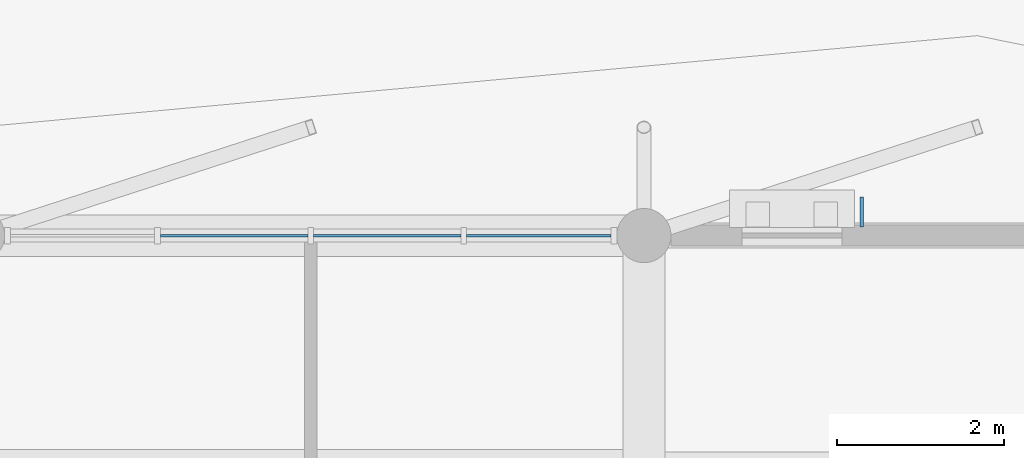
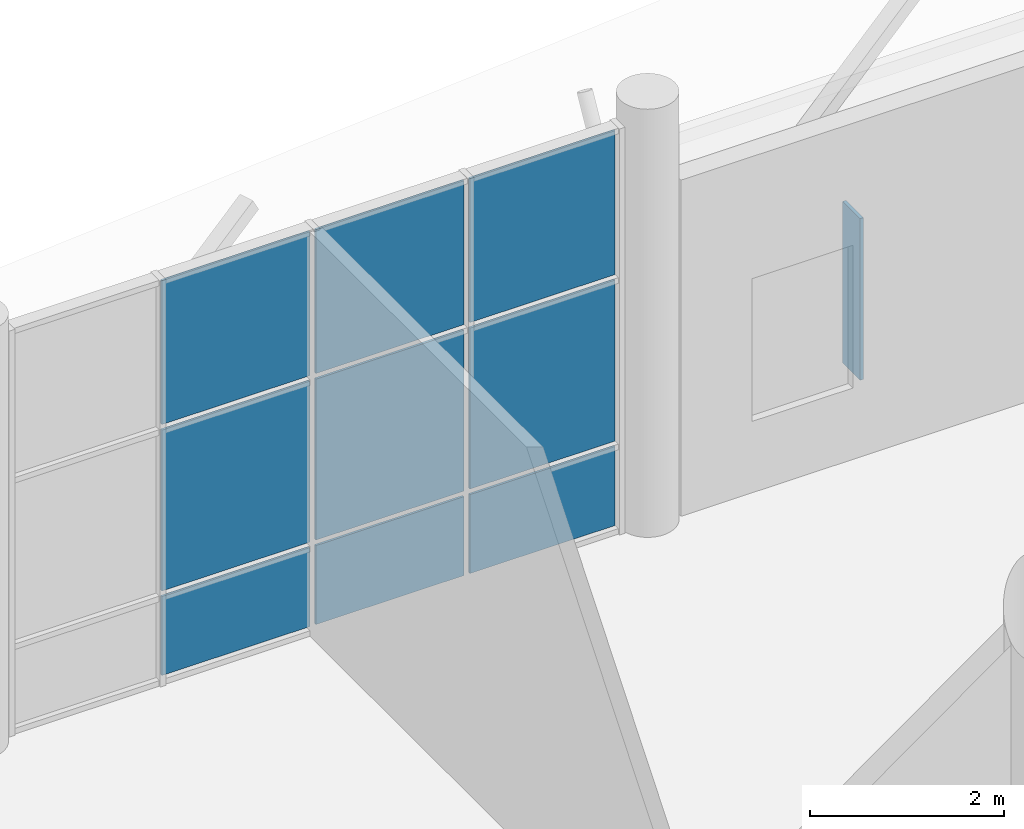
# One storey, part 93 of 123: 10 plates, 1 element without a shape of its own.
"""IFC4 building model written with IfcOpenShell, lengths in metres."""

import ifcopenshell
import ifcopenshell.guid

model = None  # the IFC model being written
_history = None  # IfcOwnerHistory: only IFC2X3 demands one
_inside = {}  # id of a spatial element -> (the spatial element, [elements in it])
_under = {}  # id of a project, library or spatial element -> (it, [spatial elements below it])
_declared = {}  # id of a project -> (the project, [libraries it declares])
_typed = {}  # id of a type object -> (the type object, [elements of that type])
_made_of = {}  # id of a material, layer set ... -> (it, [elements and type objects made of it])


def new_model(schema):
    """Start an empty IFC model of exactly this schema.

    Asked for "IFC4X3", IfcOpenShell would pick the latest addendum, in which some entities
    have other attributes; the version numbers below select the first issue.
    IFC2X3 requires an IfcOwnerHistory on every rooted entity: one is made here for all.
    """
    global model, _history
    if schema == "IFC4X3":
        model = ifcopenshell.file(schema_version=(4, 3, 0, 0))
    else:
        model = ifcopenshell.file(schema=schema)
    _inside.clear()
    _under.clear()
    _declared.clear()
    _typed.clear()
    _made_of.clear()
    _history = None
    if model.schema == "IFC2X3":
        org = make("IfcOrganization", Name="unknown")
        user = make(
            "IfcPersonAndOrganization",
            ThePerson=make("IfcPerson", FamilyName="unknown"),
            TheOrganization=org,
        )
        app = make(
            "IfcApplication",
            ApplicationDeveloper=org,
            Version="unknown",
            ApplicationFullName="unknown",
            ApplicationIdentifier="unknown",
        )
        _history = make(
            "IfcOwnerHistory",
            OwningUser=user,
            OwningApplication=app,
            ChangeAction="ADDED",
            CreationDate=0,
        )
    return model


def make(cls, **values):
    """One entity of the class cls with the attributes given. An attribute that is None is left unset."""
    return model.create_entity(
        cls, **{name: value for name, value in values.items() if value is not None}
    )


def rooted(cls, **values):
    """An entity with a GlobalId (a new one), such as an element, a storey or a relation."""
    return make(cls, GlobalId=ifcopenshell.guid.new(), OwnerHistory=_history, **values)


def si_unit(unit_type, name, prefix=None):
    """IfcSIUnit, for example si_unit("LENGTHUNIT", "METRE", prefix="MILLI")."""
    return make("IfcSIUnit", UnitType=unit_type, Prefix=prefix, Name=name)


def assignment(units):
    """IfcUnitAssignment: the units of a project."""
    return None if units is None else make("IfcUnitAssignment", Units=units)


def point(xyz):
    """IfcCartesianPoint."""
    return None if xyz is None else make("IfcCartesianPoint", Coordinates=xyz)


def direction(xyz):
    """IfcDirection."""
    return None if xyz is None else make("IfcDirection", DirectionRatios=xyz)


def frame(location, z_axis=None, x_axis=None):
    """IfcAxis2Placement3D, a coordinate frame: its origin and axes. An axis left out is left unset."""
    return make(
        "IfcAxis2Placement3D",
        Location=point(location),
        Axis=direction(z_axis),
        RefDirection=direction(x_axis),
    )


def frame_2d(location, x_axis=None):
    """IfcAxis2Placement2D, a coordinate frame in the plane: its origin and x axis."""
    return make(
        "IfcAxis2Placement2D", Location=point(location), RefDirection=direction(x_axis)
    )


def origin():
    """The frame at (0, 0, 0) with its axes left unset."""
    return frame((0.0, 0.0, 0.0))


def origin_2d():
    """The frame at (0, 0) in the plane with its x axis left unset."""
    return frame_2d((0.0, 0.0))


def place(relative_to, where):
    """IfcLocalPlacement: puts the frame where relative to a parent placement (None: the world)."""
    return make(
        "IfcLocalPlacement", PlacementRelTo=relative_to, RelativePlacement=where
    )


def context(
    kind, dimensions, precision=None, world=None, true_north=None, identifier=None
):
    """IfcGeometricRepresentationContext, for example the 3D "Model" context."""
    return make(
        "IfcGeometricRepresentationContext",
        ContextIdentifier=identifier,
        ContextType=kind,
        CoordinateSpaceDimension=dimensions,
        Precision=precision,
        WorldCoordinateSystem=world,
        TrueNorth=true_north,
    )


def subcontext(parent, identifier, kind, view, scale=None):
    """IfcGeometricRepresentationSubContext, for example "Body" below "Model"."""
    return make(
        "IfcGeometricRepresentationSubContext",
        ContextIdentifier=identifier,
        ContextType=kind,
        ParentContext=parent,
        TargetScale=scale,
        TargetView=view,
    )


def project(units=None, contexts=None):
    """IfcProject with its units and contexts."""
    return rooted(
        "IfcProject",
        Name="project",
        RepresentationContexts=contexts,
        UnitsInContext=assignment(units),
    )


def spatial(cls, under=None, at=None, **own):
    """A site, building, storey or space (cls), placed at a placement, below another one or the project."""
    s = rooted(cls, ObjectPlacement=at, **own)
    if under is not None:
        _under.setdefault(under.id(), (under, []))[1].append(s)
    return s


def profile(cls, at=None, kind="AREA", **sizes):
    """A parametric profile (cls). Its sizes go by their IFC names, for example OverallWidth=200.0."""
    return make(cls, ProfileType=kind, Position=at, **sizes)


def rectangle(**sizes):
    """IfcRectangleProfileDef."""
    return profile("IfcRectangleProfileDef", **sizes)


def extrude(swept, where, along, depth):
    """IfcExtrudedAreaSolid: the profile swept, set in the frame where, extruded along a direction by depth."""
    return make(
        "IfcExtrudedAreaSolid",
        SweptArea=swept,
        Position=where,
        ExtrudedDirection=direction(along),
        Depth=depth,
    )


def shape(context_of_items, identifier, shape_type, items):
    """IfcShapeRepresentation: the items that make up one representation, for example the "Body"."""
    return make(
        "IfcShapeRepresentation",
        ContextOfItems=context_of_items,
        RepresentationIdentifier=identifier,
        RepresentationType=shape_type,
        Items=items,
    )


def material(Name=None, Category=None):
    """IfcMaterial."""
    return make("IfcMaterial", Name=Name, Category=Category)


def layer(
    of_material, thickness, ventilated=None, Name=None, Category=None, Priority=None
):
    """IfcMaterialLayer: one layer of a wall or slab, of a material (None: an air gap)."""
    return make(
        "IfcMaterialLayer",
        Material=of_material,
        LayerThickness=thickness,
        IsVentilated=ventilated,
        Name=Name,
        Category=Category,
        Priority=Priority,
    )


def layer_set(layers, Name=None):
    """IfcMaterialLayerSet."""
    return make("IfcMaterialLayerSet", MaterialLayers=layers, LayerSetName=Name)


def made_of(thing, what):
    """Note that an element or type object is made of a material, layer set ...; save() writes the relation."""
    if what is not None:
        _made_of.setdefault(what.id(), (what, []))[1].append(thing)
    return thing


def type_object(cls, material=None, **own):
    """A type object (cls), such as IfcWallType, which elements share."""
    return made_of(rooted(cls, **own), material)


def element(
    cls,
    number,
    at=None,
    inside=None,
    cuts=None,
    type_object=None,
    material=None,
    context=None,
    identifier="Body",
    shape_type=None,
    held_by="IfcProductDefinitionShape",
    body=None,
    shapes=None,
    **own,
):
    """One element of the class cls, such as IfcWall. Its Tag is "e" and its number.

    at: its placement. inside: the storey or other place that contains it. cuts: it is an
    opening in that element (IfcRelVoidsElement). A single representation is given by context,
    identifier, shape_type and body (its items); several are given by shapes. held_by: the class
    of the entity that holds the representations. save() writes the other relations.
    """
    e = rooted(cls, Tag="e%d" % number, ObjectPlacement=at, **own)
    if body is not None:
        shapes = [shape(context, identifier, shape_type, body)]
    if shapes is not None:
        e.Representation = make(held_by, Representations=shapes)
    if inside is not None:
        _inside.setdefault(inside.id(), (inside, []))[1].append(e)
    if cuts is not None:
        rooted(
            "IfcRelVoidsElement", RelatingBuildingElement=cuts, RelatedOpeningElement=e
        )
    if type_object is not None:
        _typed.setdefault(type_object.id(), (type_object, []))[1].append(e)
    return made_of(e, material)


def aggregate(whole, parts):
    """IfcRelAggregates: a whole, such as a stair, and the parts it consists of."""
    return rooted("IfcRelAggregates", RelatingObject=whole, RelatedObjects=parts)


def save(model, path):
    """Write the relations noted so far, then the file.

    IfcRelAggregates (storeys below a building ...), IfcRelContainedInSpatialStructure (elements
    in a storey), IfcRelDefinesByType, IfcRelAssociatesMaterial and IfcRelDeclares: one each for
    every whole, place, type object, material and project.
    """
    for whole, parts in _under.values():
        aggregate(whole, parts)
    for where, things in _inside.values():
        rooted(
            "IfcRelContainedInSpatialStructure",
            RelatedElements=things,
            RelatingStructure=where,
        )
    for kind, things in _typed.values():
        rooted("IfcRelDefinesByType", RelatedObjects=things, RelatingType=kind)
    for what, things in _made_of.values():
        rooted("IfcRelAssociatesMaterial", RelatedObjects=things, RelatingMaterial=what)
    for by, libraries in _declared.values():
        rooted("IfcRelDeclares", RelatingContext=by, RelatedDefinitions=libraries)
    model.write(path)


model = new_model("IFC4")

# Units and contexts
model_context = context("Model", 3, precision=1e-05, world=origin(), true_north=direction((0.0, 1.0)))
body_context = subcontext(model_context, "Body", "Model", "MODEL_VIEW")
ifc_project = project(units=[si_unit("LENGTHUNIT", "METRE"), si_unit("AREAUNIT", "SQUARE_METRE"), si_unit("VOLUMEUNIT", "CUBIC_METRE"), si_unit("PLANEANGLEUNIT", "RADIAN"), si_unit("MASSUNIT", "GRAM", prefix="KILO")], contexts=[model_context])

# Site, building, storey
site_placement = place(None, origin())
site = spatial("IfcSite", under=ifc_project, at=site_placement, CompositionType="ELEMENT")
building_placement = place(site_placement, origin())
building = spatial("IfcBuilding", under=site, at=building_placement, Name="Tenunan Teduh Sports Hall", CompositionType="ELEMENT")
storey_placement = place(building_placement, origin())
storey = spatial("IfcBuildingStorey", under=building, at=storey_placement, Name="L00", CompositionType="ELEMENT", Elevation=0.0)

# Curtain wall, plates
ifc_material_1 = material(Name="Anodised aluminium", Category="aluminium")
curtain_wall_type = type_object("IfcCurtainWallType", Name="CW-UNIT-1", PredefinedType="NOTDEFINED", material=ifc_material_1)
curtain_wall_placement = place(storey_placement, origin())
curtain_wall = element("IfcCurtainWall", 1, at=curtain_wall_placement, inside=storey, type_object=curtain_wall_type, Name="CW-CWM-200-L00-240", PredefinedType="NOTDEFINED")
ifc_material_2 = material(Name="Low-E laminated double glazing", Category="glass")
ifc_layer_1 = layer(ifc_material_2, 0.028076171875)
ifc_layer_set_1 = layer_set([ifc_layer_1], Name="Low-E laminated double glazing")
plate_type_1 = type_object("IfcPlateType", Name="CWP-GLZ-28", PredefinedType="CURTAIN_PANEL", material=ifc_layer_set_1)
plate_1_placement = place(storey_placement, frame((133.081298828125, 118.0, 1.134765625), z_axis=(0.0, 0.0, 1.0), x_axis=(1.0, 0.0, 0.0)))
plate_1 = element("IfcPlate", 2, at=plate_1_placement, type_object=plate_type_1, Name="CW-01 panel 2.2", PredefinedType="CURTAIN_PANEL", context=body_context, shape_type="SweptSolid", body=[
    extrude(rectangle(XDim=1.767578125, YDim=0.028076171875, at=origin_2d()), origin(), (0.0, 0.0, 1.0), 2.030029296875),
])
plate_2_placement = place(storey_placement, frame((133.081298828125, 118.0, 3.235107421875), z_axis=(0.0, 0.0, 1.0), x_axis=(1.0, 0.0, 0.0)))
plate_2 = element("IfcPlate", 3, at=plate_2_placement, type_object=plate_type_1, Name="CW-01 panel 2.3", PredefinedType="CURTAIN_PANEL", context=body_context, shape_type="SweptSolid", body=[
    extrude(rectangle(XDim=1.767578125, YDim=0.028076171875, at=origin_2d()), origin(), (0.0, 0.0, 1.0), 1.81494140625),
])
plate_3_placement = place(storey_placement, frame((134.918701171875, 118.0, 1.134765625), z_axis=(0.0, 0.0, 1.0), x_axis=(1.0, 0.0, 0.0)))
plate_3 = element("IfcPlate", 4, at=plate_3_placement, type_object=plate_type_1, Name="CW-01 panel 3.2", PredefinedType="CURTAIN_PANEL", context=body_context, shape_type="SweptSolid", body=[
    extrude(rectangle(XDim=1.767578125, YDim=0.028076171875, at=origin_2d()), origin(), (0.0, 0.0, 1.0), 2.030029296875),
])
plate_4_placement = place(storey_placement, frame((134.918701171875, 118.0, 3.235107421875), z_axis=(0.0, 0.0, 1.0), x_axis=(1.0, 0.0, 0.0)))
plate_4 = element("IfcPlate", 5, at=plate_4_placement, type_object=plate_type_1, Name="CW-01 panel 3.3", PredefinedType="CURTAIN_PANEL", context=body_context, shape_type="SweptSolid", body=[
    extrude(rectangle(XDim=1.767578125, YDim=0.028076171875, at=origin_2d()), origin(), (0.0, 0.0, 1.0), 1.81494140625),
])
plate_5_placement = place(storey_placement, frame((136.73876953125, 118.0, 1.134765625), z_axis=(0.0, 0.0, 1.0), x_axis=(1.0, 0.0, 0.0)))
plate_5 = element("IfcPlate", 6, at=plate_5_placement, type_object=plate_type_1, Name="CW-01 panel 4.2", PredefinedType="CURTAIN_PANEL", context=body_context, shape_type="SweptSolid", body=[
    extrude(rectangle(XDim=1.732421875, YDim=0.028076171875, at=origin_2d()), origin(), (0.0, 0.0, 1.0), 2.030029296875),
])
plate_6_placement = place(storey_placement, frame((136.73876953125, 118.0, 3.235107421875), z_axis=(0.0, 0.0, 1.0), x_axis=(1.0, 0.0, 0.0)))
plate_6 = element("IfcPlate", 7, at=plate_6_placement, type_object=plate_type_1, Name="CW-01 panel 4.3", PredefinedType="CURTAIN_PANEL", context=body_context, shape_type="SweptSolid", body=[
    extrude(rectangle(XDim=1.732421875, YDim=0.028076171875, at=origin_2d()), origin(), (0.0, 0.0, 1.0), 1.81494140625),
])
ifc_material_3 = material(Name="Insulated aluminium spandrel panel", Category="aluminium")
ifc_layer_2 = layer(ifc_material_3, 0.044921875)
ifc_layer_set_2 = layer_set([ifc_layer_2], Name="Insulated aluminium spandrel panel")
plate_type_2 = type_object("IfcPlateType", Name="CWP-SPN-45", PredefinedType="CURTAIN_PANEL", material=ifc_layer_set_2)
plate_7_placement = place(storey_placement, frame((133.081298828125, 118.0, 0.06982421875), z_axis=(0.0, 0.0, 1.0), x_axis=(1.0, 0.0, 0.0)))
plate_7 = element("IfcPlate", 8, at=plate_7_placement, type_object=plate_type_2, Name="CW-01 panel 2.1", PredefinedType="CURTAIN_PANEL", context=body_context, shape_type="SweptSolid", body=[
    extrude(rectangle(XDim=1.767578125, YDim=0.028076171875, at=origin_2d()), origin(), (0.0, 0.0, 1.0), 0.9951171875),
])
plate_8_placement = place(storey_placement, frame((134.918701171875, 118.0, 0.06982421875), z_axis=(0.0, 0.0, 1.0), x_axis=(1.0, 0.0, 0.0)))
plate_8 = element("IfcPlate", 9, at=plate_8_placement, type_object=plate_type_2, Name="CW-01 panel 3.1", PredefinedType="CURTAIN_PANEL", context=body_context, shape_type="SweptSolid", body=[
    extrude(rectangle(XDim=1.767578125, YDim=0.028076171875, at=origin_2d()), origin(), (0.0, 0.0, 1.0), 0.9951171875),
])
plate_9_placement = place(storey_placement, frame((136.73876953125, 118.0, 0.06982421875), z_axis=(0.0, 0.0, 1.0), x_axis=(1.0, 0.0, 0.0)))
plate_9 = element("IfcPlate", 10, at=plate_9_placement, type_object=plate_type_2, Name="CW-01 panel 4.1", PredefinedType="CURTAIN_PANEL", context=body_context, shape_type="SweptSolid", body=[
    extrude(rectangle(XDim=1.732421875, YDim=0.028076171875, at=origin_2d()), origin(), (0.0, 0.0, 1.0), 0.9951171875),
])
aggregate(curtain_wall, [plate_7, plate_1, plate_2, plate_8, plate_3, plate_4, plate_9, plate_5, plate_6])

# Plate
ifc_material_4 = material(Name="Anodised aluminium", Category="aluminium")
ifc_layer_3 = layer(ifc_material_4, 1.89990234375)
ifc_layer_set_3 = layer_set([ifc_layer_3], Name="Anodised aluminium")
plate_type_3 = type_object("IfcPlateType", Name="PLT-FIN-1", PredefinedType="SHEET", material=ifc_layer_set_3)
plate_10_placement = place(storey_placement, frame((140.614990234375, 118.284912109375, 0.780029296875), z_axis=(0.0, 0.0, 1.0), x_axis=(1.0, 0.0, 0.0)))
element("IfcPlate", 11, at=plate_10_placement, inside=storey, type_object=plate_type_3, Name="PLT-FIN-L00-078", PredefinedType="SHEET", context=body_context, shape_type="SweptSolid", body=[
    extrude(rectangle(XDim=0.0400390625, YDim=0.360107421875, at=origin_2d()), origin(), (0.0, 0.0, 1.0), 2.0400390625),
])

save(model, "model.ifc")
